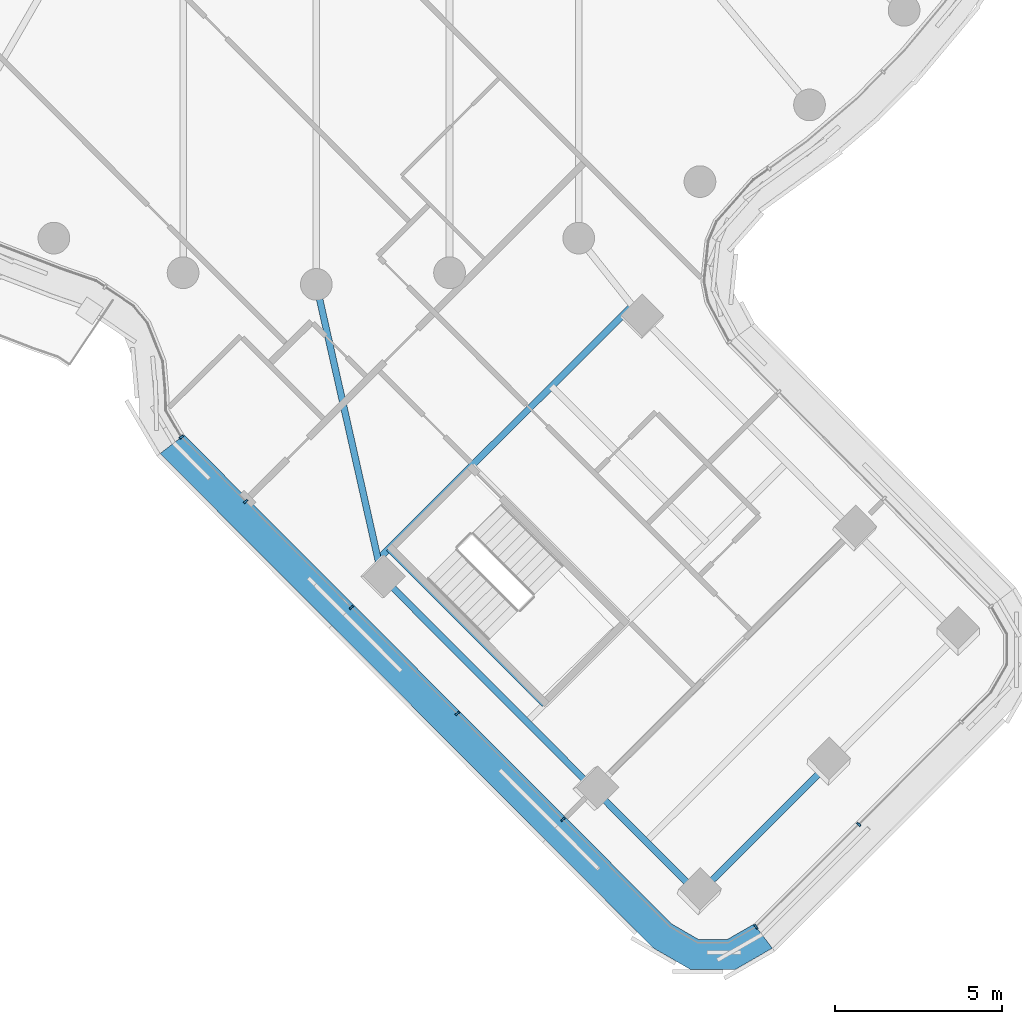
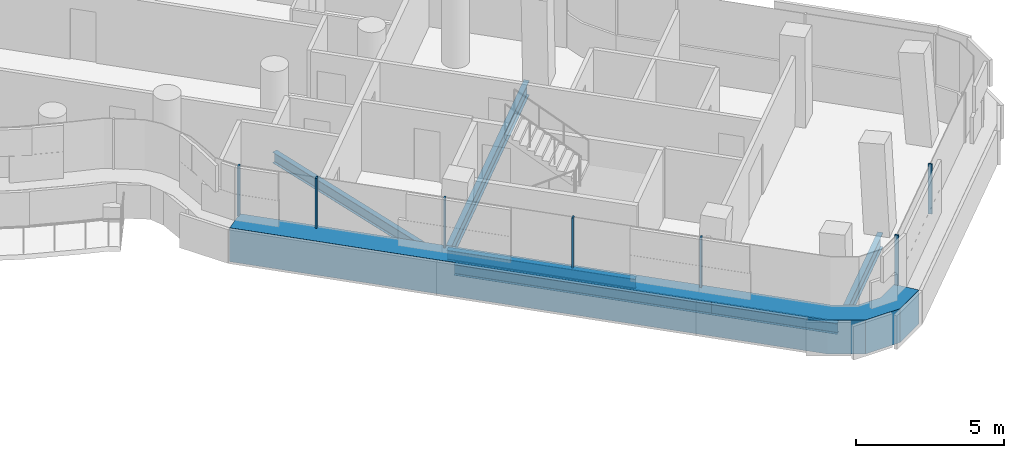
# One storey, part 4 of 31: 8 members, 6 beams, 2 elements without a shape of their own.
"""IFC4 building model written with IfcOpenShell, lengths in metres."""

from ifc_helpers import new_model, si_unit, direction, frame, origin, origin_2d, place, context, subcontext, project, spatial, polyline, rectangle, i_section, outline, extrude, material, layer, layer_set, material_profile, profile_set, type_object, element, aggregate, save


model = new_model("IFC4")

# Units and contexts
model_context = context("Model", 3, precision=1e-05, world=origin(), true_north=direction((0.0, 1.0)))
body_context = subcontext(model_context, "Body", "Model", "MODEL_VIEW")
ifc_project = project(units=[si_unit("LENGTHUNIT", "METRE"), si_unit("AREAUNIT", "SQUARE_METRE"), si_unit("VOLUMEUNIT", "CUBIC_METRE"), si_unit("PLANEANGLEUNIT", "RADIAN"), si_unit("MASSUNIT", "GRAM", prefix="KILO")], contexts=[model_context])

# Site, building, storey
site_placement = place(None, origin())
site = spatial("IfcSite", under=ifc_project, at=site_placement, CompositionType="ELEMENT")
building_placement = place(site_placement, origin())
building = spatial("IfcBuilding", under=site, at=building_placement, Name="Tamarind Cross Interchange Tower", CompositionType="ELEMENT")
storey_placement = place(building_placement, frame((0.0, 0.0, 196.89990234375)))
storey = spatial("IfcBuildingStorey", under=building, at=storey_placement, Name="L49", CompositionType="ELEMENT", Elevation=196.89990234375)

# Beams
ifc_material_1 = material(Name="Steel Q355B", Category="steel")
ifc_material_profile_1 = material_profile(ifc_material_1, i_section(OverallWidth=0.198974609375, OverallDepth=0.446044921875, WebThickness=0.008056640625, FlangeThickness=0.011962890625, FilletRadius=0.012939453125, at=origin_2d()), Name="HN 446x199x8x12")
ifc_profile_set_1 = profile_set([ifc_material_profile_1], Name="Steel Q355B")
beam_type_1 = type_object("IfcBeamType", Name="Composite beam HN 446x199x8x12 Q355B", PredefinedType="BEAM", material=ifc_profile_set_1)
beam_1_placement = place(storey_placement, frame((11.452392578125, -41.27001953125, -0.36279296875), z_axis=(-0.706197072025, 0.708015321489, 0.0), x_axis=(-0.708015321489, -0.706197072025, 0.0)))
element("IfcBeam", 1, at=beam_1_placement, inside=storey, type_object=beam_type_1, Name="Beam S-edgeem5", PredefinedType="BEAM", context=body_context, shape_type="SweptSolid", body=[
    extrude(i_section(OverallWidth=0.198974609375, OverallDepth=0.446044921875, WebThickness=0.008056640625, FlangeThickness=0.011962890625, FilletRadius=0.012939453125, at=origin_2d()), origin(), (0.0, 0.0, 1.0), 4.430908203125),
])
beam_2_placement = place(storey_placement, frame((8.3232421875, -38.1328125, -0.36279296875), z_axis=(-0.706197477315, 0.708014917239, 0.0), x_axis=(-0.708014917239, -0.706197477315, 0.0)))
element("IfcBeam", 2, at=beam_2_placement, inside=storey, type_object=beam_type_1, Name="Beam S-edgeem6", PredefinedType="BEAM", context=body_context, shape_type="SweptSolid", body=[
    extrude(i_section(OverallWidth=0.198974609375, OverallDepth=0.446044921875, WebThickness=0.008056640625, FlangeThickness=0.011962890625, FilletRadius=0.012939453125, at=origin_2d()), origin(), (0.0, 0.0, 1.0), 9.000244140625),
])
beam_3_placement = place(storey_placement, frame((1.96728515625, -31.760498046875, -0.36279296875), z_axis=(-0.219106492217, 0.975700950634, 0.0), x_axis=(-0.975700950634, -0.219106492217, 0.0)))
element("IfcBeam", 3, at=beam_3_placement, inside=storey, type_object=beam_type_1, Name="Beam S-linkem", PredefinedType="BEAM", context=body_context, shape_type="SweptSolid", body=[
    extrude(i_section(OverallWidth=0.198974609375, OverallDepth=0.446044921875, WebThickness=0.008056640625, FlangeThickness=0.011962890625, FilletRadius=0.012939453125, at=origin_2d()), origin(), (0.0, 0.0, 1.0), 8.978759765625),
])
beam_4_placement = place(storey_placement, frame((2.1806640625, -30.912353515625, -0.36279296875), z_axis=(0.706199914827, -0.708012485977, 0.0), x_axis=(0.708012485977, 0.706199914827, 0.0)))
element("IfcBeam", 4, at=beam_4_placement, inside=storey, type_object=beam_type_1, Name="Beam S-tr0", PredefinedType="BEAM", context=body_context, shape_type="SweptSolid", body=[
    extrude(i_section(OverallWidth=0.198974609375, OverallDepth=0.446044921875, WebThickness=0.008056640625, FlangeThickness=0.011962890625, FilletRadius=0.012939453125, at=origin_2d()), origin(), (0.0, 0.0, 1.0), 6.599853515625),
])
ifc_material_profile_2 = material_profile(ifc_material_1, i_section(OverallWidth=0.198974609375, OverallDepth=0.595947265625, WebThickness=0.010009765625, FlangeThickness=0.014892578125, FilletRadius=0.012939453125, at=origin_2d()), Name="HN 596x199x10x15")
ifc_profile_set_2 = profile_set([ifc_material_profile_2], Name="Steel Q355B")
beam_type_2 = type_object("IfcBeamType", Name="Composite beam HN 596x199x10x15 Q355B", PredefinedType="BEAM", material=ifc_profile_set_2)
beam_5_placement = place(storey_placement, frame((11.452392578125, -41.27001953125, -0.43798828125), z_axis=(0.708038321794, 0.70617401175, 0.0), x_axis=(-0.70617401175, 0.708038321794, 0.0)))
element("IfcBeam", 5, at=beam_5_placement, inside=storey, type_object=beam_type_2, Name="Beam S-tip0", PredefinedType="BEAM", context=body_context, shape_type="SweptSolid", body=[
    extrude(i_section(OverallWidth=0.198974609375, OverallDepth=0.595947265625, WebThickness=0.010009765625, FlangeThickness=0.014892578125, FilletRadius=0.012939453125, at=origin_2d()), origin(), (0.0, 0.0, 1.0), 5.5),
])
beam_6_placement = place(storey_placement, frame((1.850830078125, -31.241455078125, -0.43798828125), z_axis=(0.708001873498, 0.706210554384, 0.0), x_axis=(-0.706210554384, 0.708001873498, 0.0)))
element("IfcBeam", 6, at=beam_6_placement, inside=storey, type_object=beam_type_2, Name="Beam S-x298", PredefinedType="BEAM", context=body_context, shape_type="SweptSolid", body=[
    extrude(i_section(OverallWidth=0.198974609375, OverallDepth=0.595947265625, WebThickness=0.010009765625, FlangeThickness=0.014892578125, FilletRadius=0.012939453125, at=origin_2d()), origin(), (0.0, 0.0, 1.0), 10.76708984375),
])

# Curtain wall, member
ifc_material_2 = material(Name="Aluminium 6063-T6", Category="aluminium")
ifc_layer = layer(ifc_material_2, 0.139892578125)
ifc_layer_set = layer_set([ifc_layer], Name="Aluminium 6063-T6")
curtain_wall_type = type_object("IfcCurtainWallType", Name="Hotel curtain wall, 4.5 m bays", PredefinedType="NOTDEFINED", material=ifc_layer_set)
curtain_wall_1_placement = place(storey_placement, origin())
curtain_wall_1 = element("IfcCurtainWall", 7, at=curtain_wall_1_placement, inside=storey, type_object=curtain_wall_type, Name="CWS-L49-11", PredefinedType="NOTDEFINED")
ifc_material_3 = material(Name="Aluminium and insulated spandrel panel", Category="aluminium")
member_type_1 = type_object("IfcMemberType", Name="Floor-edge blade transom", PredefinedType="USERDEFINED", material=ifc_material_3)
member_1_placement = place(storey_placement, origin())
member_1 = element("IfcMember", 8, at=member_1_placement, type_object=member_type_1, Name="CWT-L49-11", ObjectType="TRANSOM", PredefinedType="USERDEFINED", context=body_context, shape_type="SweptSolid", body=[
    extrude(outline(polyline([(-3.962890625, -27.51416015625), (10.657958984375, -42.1728515625), (11.4501953125, -42.631591796875), (12.32470703125, -42.632568359375), (13.117919921875, -42.176025390625), (13.669677734375, -42.896728515625), (12.564697265625, -43.532958984375), (11.207763671875, -43.53125), (10.1044921875, -42.892333984375), (-4.6806640625, -28.069091796875), (-3.962890625, -27.51416015625)])), origin(), (0.0, 0.0, 1.0), 1.400146484375),
])

# Curtain wall, members
curtain_wall_2_placement = place(storey_placement, origin())
curtain_wall_2 = element("IfcCurtainWall", 9, at=curtain_wall_2_placement, inside=storey, type_object=curtain_wall_type, Name="CWS-L49-00", PredefinedType="NOTDEFINED")
ifc_material_profile_3 = material_profile(ifc_material_2, rectangle(XDim=0.06005859375, YDim=0.139892578125, at=origin_2d()), Name="Mullion CW2")
ifc_profile_set_3 = profile_set([ifc_material_profile_3], Name="Aluminium 6063-T6")
member_type_2 = type_object("IfcMemberType", Name="Mullion CW2", PredefinedType="MULLION", material=ifc_profile_set_3)
member_2_placement = place(storey_placement, frame((13.17919921875, -42.256103515625, 1.400146484375), z_axis=(0.0, 0.0, 1.0), x_axis=(0.794134677519, 0.607741815215, 0.0)))
member_2 = element("IfcMember", 10, at=member_2_placement, type_object=member_type_2, Name="CWM-L49-00-00", PredefinedType="MULLION", context=body_context, shape_type="SweptSolid", body=[
    extrude(rectangle(XDim=0.06005859375, YDim=0.139892578125, at=origin_2d()), origin(), (0.0, 0.0, 1.0), 2.06005859375),
])
member_3_placement = place(storey_placement, frame((16.256103515625, -39.187255859375, 1.400146484375), z_axis=(0.0, 0.0, 1.0), x_axis=(0.708014520272, 0.706197875304, 0.0)))
member_3 = element("IfcMember", 11, at=member_3_placement, type_object=member_type_2, Name="CWM-L49-00-01", PredefinedType="MULLION", context=body_context, shape_type="SweptSolid", body=[
    extrude(rectangle(XDim=0.06005859375, YDim=0.139892578125, at=origin_2d()), origin(), (0.0, 0.0, 1.0), 2.06005859375),
])
aggregate(curtain_wall_2, [member_2, member_3])

# Member
member_4_placement = place(storey_placement, frame((-4.042724609375, -27.575927734375, 1.400146484375), z_axis=(0.0, 0.0, 1.0), x_axis=(0.6116311388, -0.791143065475, 0.0)))
member_4 = element("IfcMember", 12, at=member_4_placement, type_object=member_type_2, Name="CWM-L49-11-00", PredefinedType="MULLION", context=body_context, shape_type="SweptSolid", body=[
    extrude(rectangle(XDim=0.06005859375, YDim=0.139892578125, at=origin_2d()), origin(), (0.0, 0.0, 1.0), 2.06005859375),
])

member_5_placement = place(storey_placement, frame((-2.117919921875, -29.505615234375, 1.400146484375), z_axis=(0.0, 0.0, 1.0), x_axis=(0.706197875304, -0.708014520272, 0.0)))
member_5 = element("IfcMember", 13, at=member_5_placement, type_object=member_type_2, Name="CWM-L49-11-01", PredefinedType="MULLION", context=body_context, shape_type="SweptSolid", body=[
    extrude(rectangle(XDim=0.06005859375, YDim=0.139892578125, at=origin_2d()), origin(), (0.0, 0.0, 1.0), 2.06005859375),
])

member_6_placement = place(storey_placement, frame((1.052001953125, -32.683837890625, 1.400146484375), z_axis=(0.0, 0.0, 1.0), x_axis=(0.706197875304, -0.708014520272, 0.0)))
member_6 = element("IfcMember", 14, at=member_6_placement, type_object=member_type_2, Name="CWM-L49-11-02", PredefinedType="MULLION", context=body_context, shape_type="SweptSolid", body=[
    extrude(rectangle(XDim=0.06005859375, YDim=0.139892578125, at=origin_2d()), origin(), (0.0, 0.0, 1.0), 2.06005859375),
])

member_7_placement = place(storey_placement, frame((4.22216796875, -35.862060546875, 1.400146484375), z_axis=(0.0, 0.0, 1.0), x_axis=(0.706197875304, -0.708014520272, 0.0)))
member_7 = element("IfcMember", 15, at=member_7_placement, type_object=member_type_2, Name="CWM-L49-11-03", PredefinedType="MULLION", context=body_context, shape_type="SweptSolid", body=[
    extrude(rectangle(XDim=0.06005859375, YDim=0.139892578125, at=origin_2d()), origin(), (0.0, 0.0, 1.0), 2.06005859375),
])

member_8_placement = place(storey_placement, frame((7.39208984375, -39.0400390625, 1.400146484375), z_axis=(0.0, 0.0, 1.0), x_axis=(0.706197875304, -0.708014520272, 0.0)))
member_8 = element("IfcMember", 16, at=member_8_placement, type_object=member_type_2, Name="CWM-L49-11-04", PredefinedType="MULLION", context=body_context, shape_type="SweptSolid", body=[
    extrude(rectangle(XDim=0.06005859375, YDim=0.139892578125, at=origin_2d()), origin(), (0.0, 0.0, 1.0), 2.06005859375),
])

aggregate(curtain_wall_1, [member_4, member_5, member_6, member_7, member_8, member_1])

save(model, "model.ifc")
